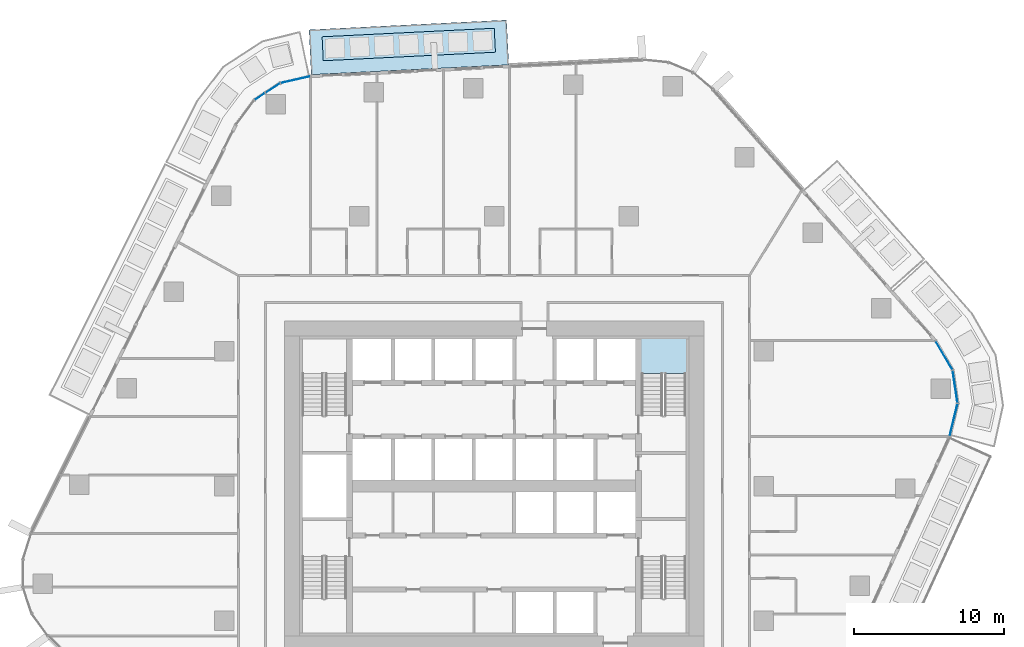
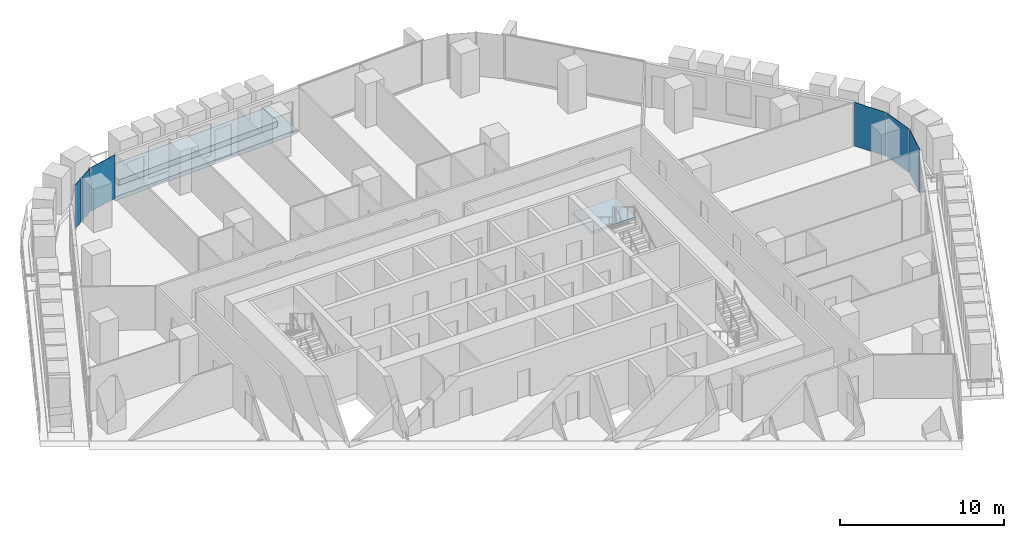
# One storey, part 10 of 24: 6 plates, 3 slabs, 4 elements without a shape of their own.
"""IFC4 building model written with IfcOpenShell, lengths in metres."""

from ifc_helpers import new_model, si_unit, direction, frame, origin, origin_2d, place, context, subcontext, project, spatial, polyline, rectangle, outline, extrude, material, layer, layer_set, type_object, element, aggregate, save


model = new_model("IFC4")

# Units and contexts
model_context = context("Model", 3, precision=1e-05, world=origin(), true_north=direction((0.0, 1.0)))
body_context = subcontext(model_context, "Body", "Model", "MODEL_VIEW")
ifc_project = project(units=[si_unit("LENGTHUNIT", "METRE"), si_unit("AREAUNIT", "SQUARE_METRE"), si_unit("VOLUMEUNIT", "CUBIC_METRE"), si_unit("PLANEANGLEUNIT", "RADIAN"), si_unit("MASSUNIT", "GRAM", prefix="KILO")], contexts=[model_context])

# Site, building, storey
site_placement = place(None, origin())
site = spatial("IfcSite", under=ifc_project, at=site_placement, CompositionType="ELEMENT")
building_placement = place(site_placement, origin())
building = spatial("IfcBuilding", under=site, at=building_placement, Name="Dongbaek Canopy Tower", CompositionType="ELEMENT")
storey_placement = place(building_placement, frame((0.0, 0.0, 98.89990234375)))
storey = spatial("IfcBuildingStorey", under=building, at=storey_placement, Name="L20", CompositionType="ELEMENT", Elevation=98.89990234375)

# Slab
ifc_material_1 = material(Name="Concrete C40/50", Category="concrete")
ifc_layer_1 = layer(ifc_material_1, 0.300048828125)
ifc_layer_set_1 = layer_set([ifc_layer_1], Name="Balcony slab 300")
slab_type_1 = type_object("IfcSlabType", Name="Balcony slab 300", PredefinedType="FLOOR", material=ifc_layer_set_1)
slab_1_placement = place(storey_placement, frame((0.0, 0.0, -0.2998046875)))
element("IfcSlab", 1, at=slab_1_placement, inside=storey, type_object=slab_type_1, Name="Balcony L20 2", PredefinedType="FLOOR", context=body_context, shape_type="SweptSolid", body=[
    extrude(outline(polyline([(0.9873046875, 28.10986328125), (-12.201904296875, 27.455810546875), (-12.3505859375, 30.4521484375), (0.838623046875, 31.106201171875), (0.9873046875, 28.10986328125)])), origin(), (0.0, 0.0, 1.0), 0.2998046875),
])

# Curtain wall, plates
ifc_material_2 = material(Name="Aluminium 6063-T6 pale anodised", Category="aluminium")
ifc_layer_2 = layer(ifc_material_2, 0.199951171875)
ifc_layer_set_2 = layer_set([ifc_layer_2], Name="CW-1 unitised tower curtain wall")
curtain_wall_type = type_object("IfcCurtainWallType", Name="CW-1 unitised tower curtain wall", PredefinedType="NOTDEFINED", material=ifc_layer_set_2)
curtain_wall_1_placement = place(storey_placement, origin())
curtain_wall_1 = element("IfcCurtainWall", 2, at=curtain_wall_1_placement, inside=storey, type_object=curtain_wall_type, Name="CW-1 curtain wall K0.1", PredefinedType="NOTDEFINED")
ifc_material_3 = material(Name="Clear laminated glass", Category="glass")
ifc_layer_3 = layer(ifc_material_3, 0.028076171875)
ifc_layer_set_3 = layer_set([ifc_layer_3], Name="CW-1 glazed panel 28")
plate_type = type_object("IfcPlateType", Name="CW-1 glazed panel 28", PredefinedType="CURTAIN_PANEL", material=ifc_layer_set_3)
plate_1_placement = place(storey_placement, frame((30.673583984375, 4.411376953125, 0.0), z_axis=(0.0, 0.0, 1.0), x_axis=(0.235561839809, 0.971859362061, 0.0)))
plate_1 = element("IfcPlate", 3, at=plate_1_placement, type_object=plate_type, Name="CW-1 panel K0.1.1.1", PredefinedType="CURTAIN_PANEL", context=body_context, shape_type="SweptSolid", body=[
    extrude(rectangle(XDim=2.182373046875, YDim=0.028076171875, at=origin_2d()), origin(), (0.0, 0.0, 1.0), 3.25),
])
plate_2_placement = place(storey_placement, frame((30.775146484375, 6.628662109375, 0.0), z_axis=(0.0, 0.0, 1.0), x_axis=(-0.146640884737, 0.989189795198, 0.0)))
plate_2 = element("IfcPlate", 4, at=plate_2_placement, type_object=plate_type, Name="CW-1 panel K0.1.2.1", PredefinedType="CURTAIN_PANEL", context=body_context, shape_type="SweptSolid", body=[
    extrude(rectangle(XDim=2.172607421875, YDim=0.028076171875, at=origin_2d()), origin(), (0.0, 0.0, 1.0), 3.25),
])
plate_3_placement = place(storey_placement, frame((30.03466796875, 8.721435546875, 0.0), z_axis=(0.0, 0.0, 1.0), x_axis=(-0.507378424112, 0.861723351631, 0.0)))
plate_3 = element("IfcPlate", 5, at=plate_3_placement, type_object=plate_type, Name="CW-1 panel K0.1.3.1", PredefinedType="CURTAIN_PANEL", context=body_context, shape_type="SweptSolid", body=[
    extrude(rectangle(XDim=2.182373046875, YDim=0.028076171875, at=origin_2d()), origin(), (0.0, 0.0, 1.0), 3.25),
])
aggregate(curtain_wall_1, [plate_1, plate_2, plate_3])

curtain_wall_2_placement = place(storey_placement, origin())
curtain_wall_2 = element("IfcCurtainWall", 6, at=curtain_wall_2_placement, inside=storey, type_object=curtain_wall_type, Name="CW-1 curtain wall K2.1a", PredefinedType="NOTDEFINED")
plate_4_placement = place(storey_placement, frame((-13.249755859375, 27.12158203125, 0.0), z_axis=(0.0, 0.0, 1.0), x_axis=(-0.974641017133, -0.223774189134, 0.0)))
plate_4 = element("IfcPlate", 7, at=plate_4_placement, type_object=plate_type, Name="CW-1 panel K2.1a.1.1", PredefinedType="CURTAIN_PANEL", context=body_context, shape_type="SweptSolid", body=[
    extrude(rectangle(XDim=1.991943359375, YDim=0.028076171875, at=origin_2d()), origin(), (0.0, 0.0, 1.0), 3.25),
])
plate_5_placement = place(storey_placement, frame((-14.76611328125, 26.56005859375, 0.0), z_axis=(0.0, 0.0, 1.0), x_axis=(-0.837590534626, -0.546298541371, 0.0)))
plate_5 = element("IfcPlate", 8, at=plate_5_placement, type_object=plate_type, Name="CW-1 panel K2.1a.2.1", PredefinedType="CURTAIN_PANEL", context=body_context, shape_type="SweptSolid", body=[
    extrude(rectangle(XDim=1.121337890625, YDim=0.028076171875, at=origin_2d()), origin(), (0.0, 0.0, 1.0), 3.25),
])
aggregate(curtain_wall_2, [plate_4, plate_5])

# Curtain wall, plate
curtain_wall_3_placement = place(storey_placement, origin())
curtain_wall_3 = element("IfcCurtainWall", 9, at=curtain_wall_3_placement, inside=storey, type_object=curtain_wall_type, Name="CW-1 curtain wall K2.1b", PredefinedType="NOTDEFINED")
plate_6_placement = place(storey_placement, frame((-15.644775390625, 25.987060546875, 0.0), z_axis=(0.0, 0.0, 1.0), x_axis=(-0.837590534626, -0.546298541371, 0.0)))
plate_6 = element("IfcPlate", 10, at=plate_6_placement, type_object=plate_type, Name="CW-1 panel K2.1b.1.1", PredefinedType="CURTAIN_PANEL", context=body_context, shape_type="SweptSolid", body=[
    extrude(rectangle(XDim=0.74658203125, YDim=0.028076171875, at=origin_2d()), origin(), (0.0, 0.0, 1.0), 3.25),
])
aggregate(curtain_wall_3, [plate_6])

# Stair, slab
ifc_material_4 = material(Name="Concrete C40/50", Category="concrete")
stair_type = type_object("IfcStairType", Name="Core exit stair", PredefinedType="HALF_TURN_STAIR", material=ifc_material_4)
stair_placement = place(storey_placement, origin())
stair = element("IfcStair", 11, at=stair_placement, inside=storey, type_object=stair_type, Name="L20 exit stair A", PredefinedType="HALF_TURN_STAIR")
ifc_material_5 = material(Name="Concrete C40/50", Category="concrete")
ifc_layer_4 = layer(ifc_material_5, 0.199951171875)
ifc_layer_set_4 = layer_set([ifc_layer_4], Name="Core stair landing 200")
slab_type_2 = type_object("IfcSlabType", Name="Core stair landing 200", PredefinedType="LANDING", material=ifc_layer_set_4)
slab_2_placement = place(storey_placement, frame((0.0, 0.0, 1.650146484375)))
slab_2 = element("IfcSlab", 12, at=slab_2_placement, type_object=slab_type_2, Name="ST-A landing 1", PredefinedType="LANDING", context=body_context, shape_type="SweptSolid", body=[
    extrude(outline(polyline([(12.875, 7.5), (12.875, 9.875), (9.77490234375, 9.875), (9.77490234375, 7.5), (12.875, 7.5)])), origin(), (0.0, 0.0, 1.0), 0.199951171875),
])
aggregate(stair, [slab_2])

# Slab
ifc_material_6 = material(Name="Reinforced concrete C40/50 planter box with soil", Category="concrete")
ifc_layer_5 = layer(ifc_material_6, 0.419921875)
ifc_layer_set_5 = layer_set([ifc_layer_5], Name="Terrace planter box 1600 x 420")
slab_type_3 = type_object("IfcSlabType", Name="Terrace planter box 1600 x 420", PredefinedType="USERDEFINED", material=ifc_layer_set_5)
slab_3_placement = place(storey_placement, origin())
element("IfcSlab", 13, at=slab_3_placement, inside=storey, type_object=slab_type_3, Name="Balcony planter L20 2", ObjectType="PLANTER", PredefinedType="USERDEFINED", context=body_context, shape_type="SweptSolid", body=[
    extrude(outline(polyline([(0.09423828125, 28.956787109375), (-11.39697265625, 28.38671875), (-11.476318359375, 29.98486328125), (0.01513671875, 30.5546875), (0.09423828125, 28.956787109375)])), origin(), (0.0, 0.0, 1.0), 0.420166015625),
])

save(model, "model.ifc")
